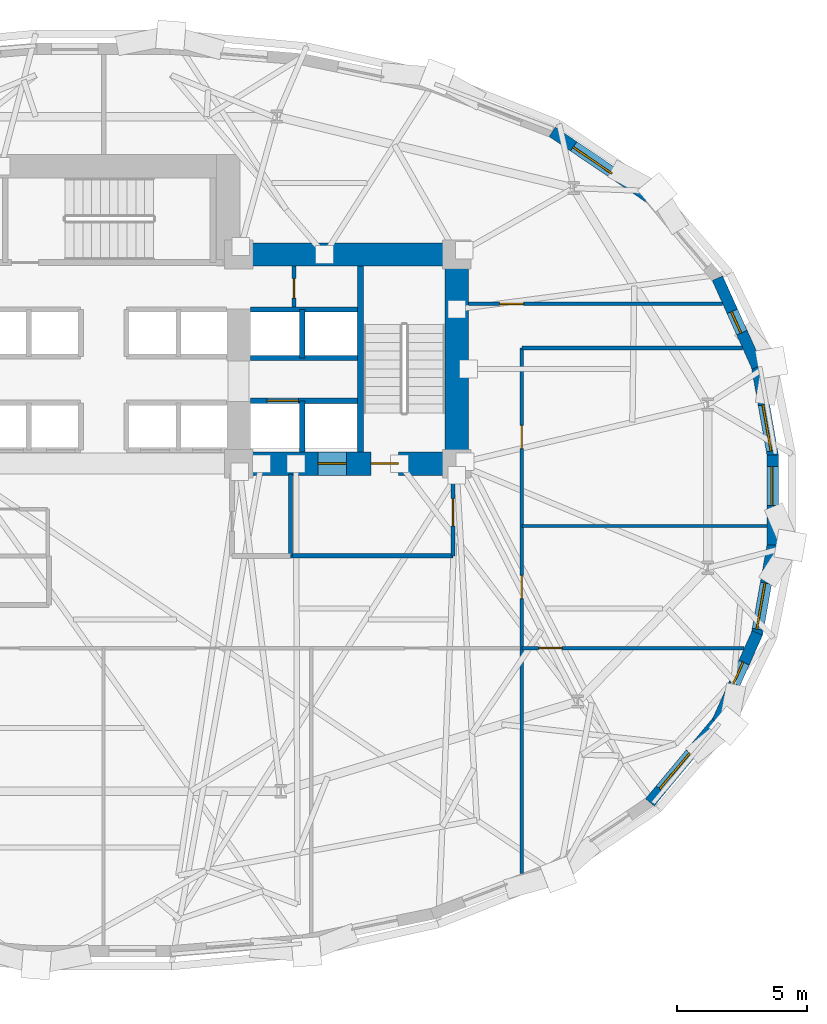
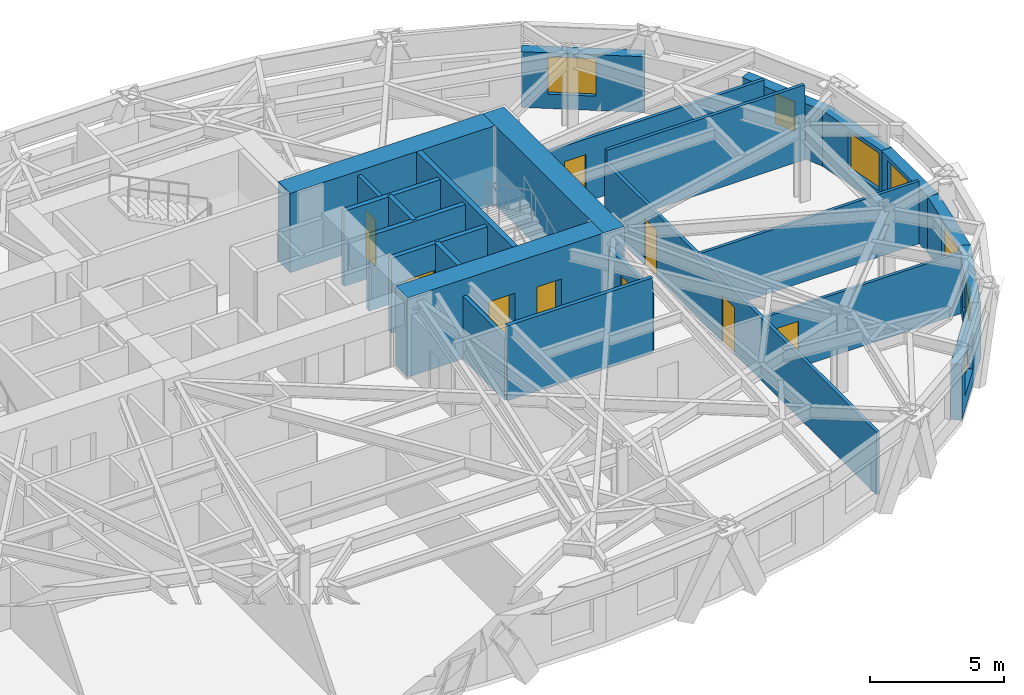
# One storey, part 8 of 13: 25 walls, 9 doors, 7 windows, 16 openings.
"""IFC4 building model written with IfcOpenShell, lengths in metres."""

from ifc_helpers import new_model, si_unit, direction, frame, frame_2d, origin, place, context, subcontext, project, spatial, rectangle, extrude, material, layer, layer_set, type_object, element, fill, save


model = new_model("IFC4")

# Units and contexts
model_context = context("Model", 3, precision=1e-05, world=origin(), true_north=direction((0.0, 1.0)))
body_context = subcontext(model_context, "Body", "Model", "MODEL_VIEW")
ifc_project = project(units=[si_unit("LENGTHUNIT", "METRE"), si_unit("AREAUNIT", "SQUARE_METRE"), si_unit("VOLUMEUNIT", "CUBIC_METRE"), si_unit("PLANEANGLEUNIT", "RADIAN"), si_unit("MASSUNIT", "GRAM", prefix="KILO")], contexts=[model_context])

# Site, building, storey
site_placement = place(None, origin())
site = spatial("IfcSite", under=ifc_project, at=site_placement, CompositionType="ELEMENT")
building_placement = place(site_placement, origin())
building = spatial("IfcBuilding", under=site, at=building_placement, Name="Keldmark Tower", CompositionType="ELEMENT")
storey_placement = place(building_placement, frame((0.0, 0.0, 34.199951171875)))
storey = spatial("IfcBuildingStorey", under=building, at=storey_placement, Name="L08", CompositionType="ELEMENT", Elevation=34.199951171875)

# Wall, openings, doors
ifc_material_1 = material(Name="Acoustic Double-Layer Gypsum Corridor Partition", Category="gypsum")
ifc_layer_1 = layer(ifc_material_1, 0.139892578125)
ifc_layer_set_1 = layer_set([ifc_layer_1], Name="Acoustic Double-Layer Gypsum Corridor Partition")
wall_type_1 = type_object("IfcWallType", Name="Acoustic Corridor Partition 140 mm", PredefinedType="PARTITIONING", material=ifc_layer_set_1)
wall_1_placement = place(storey_placement, frame((16.10009765625, -14.372802734375, 0.0), z_axis=(0.0, 0.0, 1.0), x_axis=(0.0, 1.0, 0.0)))
wall_1 = element("IfcWall", 1, at=wall_1_placement, inside=storey, type_object=wall_type_1, Name="L08 Acoustic Corridor Partition 140 mm COR-E", PredefinedType="PARTITIONING", context=body_context, shape_type="SweptSolid", body=[
    extrude(rectangle(XDim=20.222900390625, YDim=0.139892578125, at=frame_2d((10.111328125, 0.0))), origin(), (0.0, 0.0, 1.0), 2.841064453125),
])
opening_1_placement = place(wall_1_placement, frame((10.572509765625, 0.0, 0.0)))
opening_1 = element("IfcOpeningElement", 2, at=opening_1_placement, cuts=wall_1, Name="Opening D-IN090", PredefinedType="OPENING", context=body_context, shape_type="SweptSolid", body=[
    extrude(rectangle(XDim=0.89990234375, YDim=2.10009765625, at=frame_2d((0.449951171875, 1.050048828125))), frame((0.0, 0.079833984375, 0.0), z_axis=(0.0, -1.0, 0.0), x_axis=(1.0, 0.0, 0.0)), (0.0, 0.0, 1.0), 0.159912109375),
])
opening_2_placement = place(wall_1_placement, frame((16.347412109375, 0.0, 0.0)))
opening_2 = element("IfcOpeningElement", 3, at=opening_2_placement, cuts=wall_1, Name="Opening D-IN090", PredefinedType="OPENING", context=body_context, shape_type="SweptSolid", body=[
    extrude(rectangle(XDim=0.89990234375, YDim=2.10009765625, at=frame_2d((0.449951171875, 1.050048828125))), frame((0.0, 0.079833984375, 0.0), z_axis=(0.0, -1.0, 0.0), x_axis=(1.0, 0.0, 0.0)), (0.0, 0.0, 1.0), 0.159912109375),
])
ifc_material_2 = material(Name="Stained American White Oak Veneer", Category="wood")
door_type_1 = type_object("IfcDoorType", Name="Interior Door 900x2100", OperationType="NOTDEFINED", PredefinedType="DOOR", material=ifc_material_2)
door_1_placement = place(opening_1_placement, origin())
door_1 = element("IfcDoor", 4, at=door_1_placement, inside=storey, type_object=door_type_1, Name="L08 Interior Door 900x2100 D-ER-1-L08", OperationType="SINGLE_SWING_RIGHT", OverallHeight=2.10009765625, OverallWidth=0.89990234375, PredefinedType="DOOR", context=body_context, shape_type="SweptSolid", body=[
    extrude(rectangle(XDim=0.89990234375, YDim=2.10009765625, at=frame_2d((0.449951171875, 1.050048828125))), frame((0.0, 0.02490234375, 0.0), z_axis=(0.0, -1.0, 0.0), x_axis=(1.0, 0.0, 0.0)), (0.0, 0.0, 1.0), 0.050048828125),
])
fill(opening_1, door_1)
door_2_placement = place(opening_2_placement, origin())
door_2 = element("IfcDoor", 5, at=door_2_placement, inside=storey, type_object=door_type_1, Name="L08 Interior Door 900x2100 D-ER-2-L08", OperationType="SINGLE_SWING_LEFT", OverallHeight=2.10009765625, OverallWidth=0.89990234375, PredefinedType="DOOR", context=body_context, shape_type="SweptSolid", body=[
    extrude(rectangle(XDim=0.89990234375, YDim=2.10009765625, at=frame_2d((0.449951171875, 1.050048828125))), frame((0.0, 0.02490234375, 0.0), z_axis=(0.0, -1.0, 0.0), x_axis=(1.0, 0.0, 0.0)), (0.0, 0.0, 1.0), 0.050048828125),
])
fill(opening_2, door_2)

# Wall, opening, door
wall_2_placement = place(storey_placement, frame((14.050048828125, 7.550048828125, 0.0), z_axis=(0.0, 0.0, 1.0), x_axis=(1.0, 0.0, 0.0)))
wall_2 = element("IfcWall", 6, at=wall_2_placement, inside=storey, type_object=wall_type_1, Name="L08 Acoustic Corridor Partition 140 mm COR-EN-CAP", PredefinedType="PARTITIONING", context=body_context, shape_type="SweptSolid", body=[
    extrude(rectangle(XDim=9.7744140625, YDim=0.139892578125, at=frame_2d((4.88720703125, 0.0))), origin(), (0.0, 0.0, 1.0), 2.85302734375),
])
opening_3_placement = place(wall_2_placement, frame((1.199951171875, 0.0, 0.0)))
opening_3 = element("IfcOpeningElement", 7, at=opening_3_placement, cuts=wall_2, Name="Opening D-EX092", PredefinedType="OPENING", context=body_context, shape_type="SweptSolid", body=[
    extrude(rectangle(XDim=0.919921875, YDim=2.14990234375, at=frame_2d((0.4599609375, 1.074951171875))), frame((0.0, 0.079833984375, 0.0), z_axis=(0.0, -1.0, 0.0), x_axis=(1.0, 0.0, 0.0)), (0.0, 0.0, 1.0), 0.159912109375),
])
ifc_material_3 = material(Name="Flush American Ash Executive Office Door", Category="wood")
door_type_2 = type_object("IfcDoorType", Name="Executive Office Door 920x2150", OperationType="NOTDEFINED", PredefinedType="DOOR", material=ifc_material_3)
door_3_placement = place(opening_3_placement, origin())
door_3 = element("IfcDoor", 8, at=door_3_placement, inside=storey, type_object=door_type_2, Name="L08 Executive Office Door 920x2150 D-NRNE-L08", OperationType="SINGLE_SWING_RIGHT", OverallHeight=2.14990234375, OverallWidth=0.919921875, PredefinedType="DOOR", context=body_context, shape_type="SweptSolid", body=[
    extrude(rectangle(XDim=0.919921875, YDim=2.14990234375, at=frame_2d((0.4599609375, 1.074951171875))), frame((0.0, 0.02490234375, 0.0), z_axis=(0.0, -1.0, 0.0), x_axis=(1.0, 0.0, 0.0)), (0.0, 0.0, 1.0), 0.050048828125),
])
fill(opening_3, door_3)

# Wall
wall_3_placement = place(storey_placement, frame((16.10009765625, 5.85009765625, 0.0), z_axis=(0.0, 0.0, 1.0), x_axis=(1.0, 0.0, 0.0)))
element("IfcWall", 9, at=wall_3_placement, inside=storey, type_object=wall_type_1, Name="L08 Acoustic Corridor Partition 140 mm COR-EA-S", PredefinedType="PARTITIONING", context=body_context, shape_type="SweptSolid", body=[
    extrude(rectangle(XDim=8.489501953125, YDim=0.139892578125, at=frame_2d((4.24462890625, 0.0))), origin(), (0.0, 0.0, 1.0), 3.400146484375),
])

# Wall, opening, door
ifc_material_4 = material(Name="Acoustic Gypsum Board Interior Partition", Category="gypsum")
ifc_layer_2 = layer(ifc_material_4, 0.1298828125)
ifc_layer_set_2 = layer_set([ifc_layer_2], Name="Acoustic Gypsum Board Interior Partition")
wall_type_2 = type_object("IfcWallType", Name="Interior Partition 130 mm", PredefinedType="PARTITIONING", material=ifc_layer_set_2)
wall_4_placement = place(storey_placement, frame((16.10009765625, -5.699951171875, 0.0), z_axis=(0.0, 0.0, 1.0), x_axis=(1.0, 0.0, 0.0)))
wall_4 = element("IfcWall", 10, at=wall_4_placement, inside=storey, type_object=wall_type_2, Name="L08 Interior Partition 130 mm E-CAP-S", PredefinedType="PARTITIONING", context=body_context, shape_type="SweptSolid", body=[
    extrude(rectangle(XDim=8.556884765625, YDim=0.1298828125, at=frame_2d((4.2783203125, 0.0))), origin(), (0.0, 0.0, 1.0), 2.779052734375),
])
opening_4_placement = place(wall_4_placement, frame((0.64990234375, 0.0, 0.0)))
opening_4 = element("IfcOpeningElement", 11, at=opening_4_placement, cuts=wall_4, Name="Opening D-IN090", PredefinedType="OPENING", context=body_context, shape_type="SweptSolid", body=[
    extrude(rectangle(XDim=0.89990234375, YDim=2.10009765625, at=frame_2d((0.449951171875, 1.050048828125))), frame((0.0, 0.074951171875, 0.0), z_axis=(0.0, -1.0, 0.0), x_axis=(1.0, 0.0, 0.0)), (0.0, 0.0, 1.0), 0.14990234375),
])
door_4_placement = place(opening_4_placement, origin())
door_4 = element("IfcDoor", 12, at=door_4_placement, inside=storey, type_object=door_type_1, Name="L08 Interior Door 900x2100 D-ERSE-L08", OperationType="SINGLE_SWING_RIGHT", OverallHeight=2.10009765625, OverallWidth=0.89990234375, PredefinedType="DOOR", context=body_context, shape_type="SweptSolid", body=[
    extrude(rectangle(XDim=0.89990234375, YDim=2.10009765625, at=frame_2d((0.449951171875, 1.050048828125))), frame((0.0, 0.02490234375, 0.0), z_axis=(0.0, -1.0, 0.0), x_axis=(1.0, 0.0, 0.0)), (0.0, 0.0, 1.0), 0.050048828125),
])
fill(opening_4, door_4)

# Walls
wall_5_placement = place(storey_placement, frame((16.10009765625, -1.0, 0.0), z_axis=(0.0, 0.0, 1.0), x_axis=(1.0, 0.0, 0.0)))
element("IfcWall", 13, at=wall_5_placement, inside=storey, type_object=wall_type_2, Name="L08 Interior Partition 130 mm E-DIV-1", PredefinedType="PARTITIONING", context=body_context, shape_type="SweptSolid", body=[
    extrude(rectangle(XDim=9.434814453125, YDim=0.1298828125, at=frame_2d((4.71728515625, 0.0))), origin(), (0.0, 0.0, 1.0), 2.841064453125),
])
ifc_material_5 = material(Name="Concrete C70/85", Category="concrete")
ifc_layer_3 = layer(ifc_material_5, 0.89990234375)
ifc_layer_set_3 = layer_set([ifc_layer_3], Name="Concrete C70/85")
wall_type_3 = type_object("IfcWallType", Name="Lower Core Shear Wall 900 mm", PredefinedType="SHEAR", material=ifc_layer_set_3)
wall_6_placement = place(storey_placement, frame((13.60009765625, 0.949951171875, 0.0), z_axis=(0.0, 0.0, 1.0), x_axis=(0.0, 1.0, 0.0)))
element("IfcWall", 14, at=wall_6_placement, inside=storey, type_object=wall_type_3, Name="L08 East Core Outer Shear Wall", PredefinedType="SHEAR", context=body_context, shape_type="SweptSolid", body=[
    extrude(rectangle(XDim=8.949951171875, YDim=0.89990234375, at=frame_2d((4.47509765625, 0.0))), origin(), (0.0, 0.0, 1.0), 3.60009765625),
])
wall_7_placement = place(storey_placement, frame((4.35009765625, 9.449951171875, 0.0), z_axis=(0.0, 0.0, 1.0), x_axis=(1.0, 0.0, 0.0)))
element("IfcWall", 15, at=wall_7_placement, inside=storey, type_object=wall_type_3, Name="L08 East Core North Shear Wall", PredefinedType="SHEAR", context=body_context, shape_type="SweptSolid", body=[
    extrude(rectangle(XDim=9.699951171875, YDim=0.89990234375, at=frame_2d((4.85009765625, 0.0))), origin(), (0.0, 0.0, 1.0), 3.60009765625),
])

# Wall, openings, doors
wall_8_placement = place(storey_placement, frame((14.050048828125, 1.39990234375, 0.0), z_axis=(0.0, 0.0, 1.0), x_axis=(-1.0, 0.0, 0.0)))
wall_8 = element("IfcWall", 16, at=wall_8_placement, inside=storey, type_object=wall_type_3, Name="L08 East Core South Shear Wall", PredefinedType="SHEAR", context=body_context, shape_type="SweptSolid", body=[
    extrude(rectangle(XDim=9.300048828125, YDim=0.89990234375, at=frame_2d((4.64990234375, 0.0))), origin(), (0.0, 0.0, 1.0), 3.60009765625),
])
opening_5_placement = place(wall_8_placement, frame((2.699951171875, 0.0, 0.0)))
opening_5 = element("IfcOpeningElement", 17, at=opening_5_placement, cuts=wall_8, Name="Opening D-ST105", PredefinedType="OPENING", context=body_context, shape_type="SweptSolid", body=[
    extrude(rectangle(XDim=1.050048828125, YDim=2.14990234375, at=frame_2d((0.52490234375, 1.074951171875))), frame((0.0, 0.4599609375, 0.0), z_axis=(0.0, -1.0, 0.0), x_axis=(1.0, 0.0, 0.0)), (0.0, 0.0, 1.0), 0.919921875),
])
opening_6_placement = place(wall_8_placement, frame((4.699951171875, 0.0, 0.0)))
opening_6 = element("IfcOpeningElement", 18, at=opening_6_placement, cuts=wall_8, Name="Opening LD-110", PredefinedType="OPENING", context=body_context, shape_type="SweptSolid", body=[
    extrude(rectangle(XDim=1.10009765625, YDim=2.199951171875, at=frame_2d((0.550048828125, 1.10009765625))), frame((0.0, 0.4599609375, 0.0), z_axis=(0.0, -1.0, 0.0), x_axis=(1.0, 0.0, 0.0)), (0.0, 0.0, 1.0), 0.919921875),
])
ifc_material_6 = material(Name="Brushed Bronze Hoistway Sliding Leaf", Category="metal")
door_type_3 = type_object("IfcDoorType", Name="Lift Landing Sliding Door 1100x2200", OperationType="SLIDING_TO_LEFT", PredefinedType="DOOR", material=ifc_material_6)
door_5_placement = place(opening_6_placement, origin())
door_5 = element("IfcDoor", 19, at=door_5_placement, inside=storey, type_object=door_type_3, Name="L08 Lift Landing Sliding Door 1100x2200 LD-EL-FS2-L08", OperationType="SLIDING_TO_LEFT", OverallHeight=2.199951171875, OverallWidth=1.10009765625, PredefinedType="DOOR", context=body_context, shape_type="SweptSolid", body=[
    extrude(rectangle(XDim=1.10009765625, YDim=2.199951171875, at=frame_2d((0.550048828125, 1.10009765625))), frame((0.0, 0.02490234375, 0.0), z_axis=(0.0, -1.0, 0.0), x_axis=(1.0, 0.0, 0.0)), (0.0, 0.0, 1.0), 0.050048828125),
])
fill(opening_6, door_5)
ifc_material_7 = material(Name="Hollow Metal Fire-Rated Door Assembly", Category="metal")
door_type_4 = type_object("IfcDoorType", Name="Stair Fire Door 1050x2150", OperationType="NOTDEFINED", PredefinedType="DOOR", material=ifc_material_7)
door_6_placement = place(opening_5_placement, origin())
door_6 = element("IfcDoor", 20, at=door_6_placement, inside=storey, type_object=door_type_4, Name="L08 Stair Fire Door 1050x2150 D-ST2-L08", OperationType="SINGLE_SWING_LEFT", OverallHeight=2.14990234375, OverallWidth=1.050048828125, PredefinedType="DOOR", context=body_context, shape_type="SweptSolid", body=[
    extrude(rectangle(XDim=1.050048828125, YDim=2.14990234375, at=frame_2d((0.52490234375, 1.074951171875))), frame((0.0, 0.02490234375, 0.0), z_axis=(0.0, -1.0, 0.0), x_axis=(1.0, 0.0, 0.0)), (0.0, 0.0, 1.0), 0.050048828125),
])
fill(opening_5, door_6)

# Walls
ifc_material_8 = material(Name="Type X Fire-Rated Gypsum Partition Assembly", Category="gypsum")
ifc_layer_4 = layer(ifc_material_8, 0.1650390625)
ifc_layer_set_4 = layer_set([ifc_layer_4], Name="Type X Fire-Rated Gypsum Partition Assembly")
wall_type_4 = type_object("IfcWallType", Name="Rated Partition 165 mm", PredefinedType="PARTITIONING", material=ifc_layer_set_4)
wall_9_placement = place(storey_placement, frame((7.199951171875, -2.14990234375, 0.0), z_axis=(0.0, 0.0, 1.0), x_axis=(1.0, 0.0, 0.0)))
element("IfcWall", 21, at=wall_9_placement, inside=storey, type_object=wall_type_4, Name="L08 Rated Partition 165 mm FSAE-E-S", PredefinedType="PARTITIONING", context=body_context, shape_type="SweptSolid", body=[
    extrude(rectangle(XDim=6.25, YDim=0.1650390625, at=frame_2d((3.125, 0.0))), origin(), (0.0, 0.0, 1.0), 3.400146484375),
])
wall_10_placement = place(storey_placement, frame((7.199951171875, -2.14990234375, 0.0), z_axis=(0.0, 0.0, 1.0), x_axis=(0.0, 1.0, 0.0)))
element("IfcWall", 22, at=wall_10_placement, inside=storey, type_object=wall_type_4, Name="L08 Rated Partition 165 mm FSAE-E-W", PredefinedType="PARTITIONING", context=body_context, shape_type="SweptSolid", body=[
    extrude(rectangle(XDim=3.14990234375, YDim=0.1650390625, at=frame_2d((1.574951171875, 0.0))), origin(), (0.0, 0.0, 1.0), 2.85302734375),
])

# Wall, opening, door
wall_11_placement = place(storey_placement, frame((13.449951171875, -2.14990234375, 0.0), z_axis=(0.0, 0.0, 1.0), x_axis=(0.0, 1.0, 0.0)))
wall_11 = element("IfcWall", 23, at=wall_11_placement, inside=storey, type_object=wall_type_4, Name="L08 Rated Partition 165 mm FSAE-E-E", PredefinedType="PARTITIONING", context=body_context, shape_type="SweptSolid", body=[
    extrude(rectangle(XDim=3.14990234375, YDim=0.1650390625, at=frame_2d((1.574951171875, 0.0))), origin(), (0.0, 0.0, 1.0), 2.85302734375),
])
opening_7_placement = place(wall_11_placement, frame((1.14990234375, 0.0, 0.0)))
opening_7 = element("IfcOpeningElement", 24, at=opening_7_placement, cuts=wall_11, Name="Opening D-FL105", PredefinedType="OPENING", context=body_context, shape_type="SweptSolid", body=[
    extrude(rectangle(XDim=1.050048828125, YDim=2.14990234375, at=frame_2d((0.52490234375, 1.074951171875))), frame((0.0, 0.092529296875, 0.0), z_axis=(0.0, -1.0, 0.0), x_axis=(1.0, 0.0, 0.0)), (0.0, 0.0, 1.0), 0.18505859375),
])
ifc_material_9 = material(Name="Fire-Rated Mineral-Core Door and Vision Lite", Category="metal")
door_type_5 = type_object("IfcDoorType", Name="Fire Lobby Door 1050x2150", OperationType="NOTDEFINED", PredefinedType="DOOR", material=ifc_material_9)
door_7_placement = place(opening_7_placement, origin())
door_7 = element("IfcDoor", 25, at=door_7_placement, inside=storey, type_object=door_type_5, Name="L08 Fire Lobby Door 1050x2150 D-FSAEE-OUT-L08", OperationType="SINGLE_SWING_LEFT", OverallHeight=2.14990234375, OverallWidth=1.050048828125, PredefinedType="DOOR", context=body_context, shape_type="SweptSolid", body=[
    extrude(rectangle(XDim=1.050048828125, YDim=2.14990234375, at=frame_2d((0.52490234375, 1.074951171875))), frame((0.0, 0.02490234375, 0.0), z_axis=(0.0, -1.0, 0.0), x_axis=(1.0, 0.0, 0.0)), (0.0, 0.0, 1.0), 0.050048828125),
])
fill(opening_7, door_7)

wall_12_placement = place(storey_placement, frame((7.330078125, 7.419921875, 0.0), z_axis=(0.0, 0.0, 1.0), x_axis=(0.0, 1.0, 0.0)))
wall_12 = element("IfcWall", 26, at=wall_12_placement, inside=storey, type_object=wall_type_4, Name="L08 Rated Partition 165 mm CS-NE-W", PredefinedType="PARTITIONING", context=body_context, shape_type="SweptSolid", body=[
    extrude(rectangle(XDim=1.580078125, YDim=0.1650390625, at=frame_2d((0.7900390625, 0.0))), origin(), (0.0, 0.0, 1.0), 3.400146484375),
])
opening_8_placement = place(wall_12_placement, frame((0.35009765625, 0.0, 0.0)))
opening_8 = element("IfcOpeningElement", 27, at=opening_8_placement, cuts=wall_12, Name="Opening D-RS075", PredefinedType="OPENING", context=body_context, shape_type="SweptSolid", body=[
    extrude(rectangle(XDim=0.75, YDim=2.10009765625, at=frame_2d((0.375, 1.050048828125))), frame((0.0, 0.092529296875, 0.0), z_axis=(0.0, -1.0, 0.0), x_axis=(1.0, 0.0, 0.0)), (0.0, 0.0, 1.0), 0.18505859375),
])
ifc_material_10 = material(Name="Galvanized Fire-Rated Access Leaf", Category="metal")
door_type_6 = type_object("IfcDoorType", Name="Riser Access Door 750x2100", OperationType="NOTDEFINED", PredefinedType="DOOR", material=ifc_material_10)
door_8_placement = place(opening_8_placement, origin())
door_8 = element("IfcDoor", 28, at=door_8_placement, inside=storey, type_object=door_type_6, Name="L08 Riser Access Door 750x2100 D-CSNE1-L08", OperationType="SINGLE_SWING_RIGHT", OverallHeight=2.10009765625, OverallWidth=0.75, PredefinedType="DOOR", context=body_context, shape_type="SweptSolid", body=[
    extrude(rectangle(XDim=0.75, YDim=2.10009765625, at=frame_2d((0.375, 1.050048828125))), frame((0.0, 0.02490234375, 0.0), z_axis=(0.0, -1.0, 0.0), x_axis=(1.0, 0.0, 0.0)), (0.0, 0.0, 1.0), 0.050048828125),
])
fill(opening_8, door_8)

ifc_material_11 = material(Name="Fire-Resistant Type X Gypsum Shaftliner Coreboard", Category="gypsum")
ifc_layer_5 = layer(ifc_material_11, 0.199951171875)
ifc_layer_set_5 = layer_set([ifc_layer_5], Name="Fire-Resistant Type X Gypsum Shaftliner Coreboard")
wall_type_5 = type_object("IfcWallType", Name="Shaft Wall 200 mm", PredefinedType="SOLIDWALL", material=ifc_layer_set_5)
wall_13_placement = place(storey_placement, frame((5.64990234375, 3.820068359375, 0.0), z_axis=(0.0, 0.0, 1.0), x_axis=(1.0, 0.0, 0.0)))
wall_13 = element("IfcWall", 29, at=wall_13_placement, inside=storey, type_object=wall_type_5, Name="L08 Shaft Wall 200 mm HW-E-S", PredefinedType="SOLIDWALL", context=body_context, shape_type="SweptSolid", body=[
    extrude(rectangle(XDim=4.130126953125, YDim=0.199951171875, at=frame_2d((2.06494140625, 0.0))), origin(), (0.0, 0.0, 1.0), 3.400146484375),
])
opening_9_placement = place(wall_13_placement, frame((0.64990234375, 0.0, 0.0)))
opening_9 = element("IfcOpeningElement", 30, at=opening_9_placement, cuts=wall_13, Name="Opening LD-120", PredefinedType="OPENING", context=body_context, shape_type="SweptSolid", body=[
    extrude(rectangle(XDim=1.199951171875, YDim=2.199951171875, at=frame_2d((0.60009765625, 1.10009765625))), frame((0.0, 0.10986328125, 0.0), z_axis=(0.0, -1.0, 0.0), x_axis=(1.0, 0.0, 0.0)), (0.0, 0.0, 1.0), 0.219970703125),
])
ifc_material_12 = material(Name="Heavy-Duty Brushed Metal Hoistway Sliding Leaf", Category="metal")
door_type_7 = type_object("IfcDoorType", Name="Service Lift Sliding Door 1200x2200", OperationType="SLIDING_TO_RIGHT", PredefinedType="DOOR", material=ifc_material_12)
door_9_placement = place(opening_9_placement, origin())
door_9 = element("IfcDoor", 31, at=door_9_placement, inside=storey, type_object=door_type_7, Name="L08 Service Lift Sliding Door 1200x2200 LD-EL-SV1-L08", OperationType="SLIDING_TO_RIGHT", OverallHeight=2.199951171875, OverallWidth=1.199951171875, PredefinedType="DOOR", context=body_context, shape_type="SweptSolid", body=[
    extrude(rectangle(XDim=1.199951171875, YDim=2.199951171875, at=frame_2d((0.60009765625, 1.10009765625))), frame((0.0, 0.02490234375, 0.0), z_axis=(0.0, -1.0, 0.0), x_axis=(1.0, 0.0, 0.0)), (0.0, 0.0, 1.0), 0.050048828125),
])
fill(opening_9, door_9)

# Walls
wall_14_placement = place(storey_placement, frame((7.64990234375, 1.85009765625, 0.0), z_axis=(0.0, 0.0, 1.0), x_axis=(0.0, 1.0, 0.0)))
element("IfcWall", 32, at=wall_14_placement, inside=storey, type_object=wall_type_5, Name="L08 Shaft Wall 200 mm HW-E-M", PredefinedType="SOLIDWALL", context=body_context, shape_type="SweptSolid", body=[
    extrude(rectangle(XDim=1.969970703125, YDim=0.199951171875, at=frame_2d((0.98486328125, 0.0))), origin(), (0.0, 0.0, 1.0), 3.400146484375),
])
for number, where, z_axis, x_axis, name in (
    (33, (5.64990234375, 5.469970703125, 0.0), (0.0, 0.0, 1.0), (1.0, 0.0, 0.0), "L08 Shaft Wall 200 mm HW-E-N"),
    (34, (5.64990234375, 7.330078125, 0.0), (0.0, 0.0, 1.0), (1.0, 0.0, 0.0), "L08 Shaft Wall 200 mm HW-E-TOP"),
):
    element("IfcWall", number, at=place(storey_placement, frame(where, z_axis=z_axis, x_axis=x_axis)), inside=storey, type_object=wall_type_5, Name=name, PredefinedType="SOLIDWALL", context=body_context, shape_type="SweptSolid", body=[
        extrude(rectangle(XDim=4.130126953125, YDim=0.199951171875, at=frame_2d((2.06494140625, 0.0))), origin(), (0.0, 0.0, 1.0), 3.400146484375),
    ])
wall_15_placement = place(storey_placement, frame((7.64990234375, 5.469970703125, 0.0), z_axis=(0.0, 0.0, 1.0), x_axis=(0.0, 1.0, 0.0)))
element("IfcWall", 35, at=wall_15_placement, inside=storey, type_object=wall_type_5, Name="L08 Shaft Wall 200 mm HW-E-NM", PredefinedType="SOLIDWALL", context=body_context, shape_type="SweptSolid", body=[
    extrude(rectangle(XDim=1.860107421875, YDim=0.199951171875, at=frame_2d((0.93017578125, 0.0))), origin(), (0.0, 0.0, 1.0), 3.400146484375),
])
ifc_material_13 = material(Name="Concrete C50/60", Category="concrete")
ifc_layer_6 = layer(ifc_material_13, 0.219970703125)
ifc_layer_set_6 = layer_set([ifc_layer_6], Name="Concrete C50/60")
wall_type_6 = type_object("IfcWallType", Name="Stair Core Shear Wall 220 mm", PredefinedType="SHEAR", material=ifc_layer_set_6)
wall_16_placement = place(storey_placement, frame((9.889892578125, 1.85009765625, 0.0), z_axis=(0.0, 0.0, 1.0), x_axis=(0.0, 1.0, 0.0)))
element("IfcWall", 36, at=wall_16_placement, inside=storey, type_object=wall_type_6, Name="L08 East Stair Core Shear Wall", PredefinedType="SHEAR", context=body_context, shape_type="SweptSolid", body=[
    extrude(rectangle(XDim=7.14990234375, YDim=0.219970703125, at=frame_2d((3.574951171875, 0.0))), origin(), (0.0, 0.0, 1.0), 3.60009765625),
])

# Wall, opening, window
ifc_material_14 = material(Name="Ironspot Manganese Brick and Kasota Buff Limestone Spandrel Assembly", Category="masonry")
ifc_layer_7 = layer(ifc_material_14, 0.43994140625)
ifc_layer_set_7 = layer_set([ifc_layer_7], Name="Ironspot Manganese Brick and Kasota Buff Limestone Spandrel Assembly")
wall_type_7 = type_object("IfcWallType", Name="Tower Brick Pier and Spandrel Wall 440 mm", PredefinedType="STANDARD", material=ifc_layer_set_7)
wall_17_placement = place(storey_placement, frame((25.151611328125, 5.173095703125, 0.0), z_axis=(0.0, 0.0, 1.0), x_axis=(0.174041624961, -0.984738296595, 0.0)))
wall_17 = element("IfcWall", 37, at=wall_17_placement, inside=storey, type_object=wall_type_7, Name="L08 Exterior Brick and Spandrel Wall 01", PredefinedType="STANDARD", context=body_context, shape_type="SweptSolid", body=[
    extrude(rectangle(XDim=3.5322265625, YDim=0.43994140625, at=frame_2d((1.76611328125, 0.0))), origin(), (0.0, 0.0, 1.0), 2.532958984375),
])
opening_10_placement = place(wall_17_placement, frame((1.5322265625, 0.0, 0.64990234375)))
opening_10 = element("IfcOpeningElement", 38, at=opening_10_placement, cuts=wall_17, Name="Opening W-02", PredefinedType="OPENING", context=body_context, shape_type="SweptSolid", body=[
    extrude(rectangle(XDim=1.800048828125, YDim=1.699951171875, at=frame_2d((0.89990234375, 0.85009765625))), frame((0.0, 0.22998046875, 0.0), z_axis=(0.0, -1.0, 0.0), x_axis=(1.0, 0.0, 0.0)), (0.0, 0.0, 1.0), 0.4599609375),
])
ifc_material_15 = material(Name="Thermally Broken Anodized Aluminum and Triple Low-E Argon Glazing", Category="aluminium")
window_type_1 = type_object("IfcWindowType", Name="Office Deep-Set Triple Window 1800x1700", PartitioningType="TRIPLE_PANEL_VERTICAL", PredefinedType="WINDOW", material=ifc_material_15)
window_1_placement = place(opening_10_placement, origin())
window_1 = element("IfcWindow", 39, at=window_1_placement, inside=storey, type_object=window_type_1, Name="L08 Deep-Set Window 01", OverallHeight=1.699951171875, OverallWidth=1.800048828125, PartitioningType="SINGLE_PANEL", PredefinedType="WINDOW", context=body_context, shape_type="SweptSolid", body=[
    extrude(rectangle(XDim=1.800048828125, YDim=1.699951171875, at=frame_2d((0.89990234375, 0.85009765625))), frame((0.0, -0.010009765625, 0.0), z_axis=(0.0, -1.0, 0.0), x_axis=(1.0, 0.0, 0.0)), (0.0, 0.0, 1.0), 0.06005859375),
])
fill(opening_10, window_1)

wall_18_placement = place(storey_placement, frame((23.630615234375, 8.5361328125, 0.0), z_axis=(0.0, 0.0, 1.0), x_axis=(0.410386362845, -0.911911746383, 0.0)))
wall_18 = element("IfcWall", 40, at=wall_18_placement, inside=storey, type_object=wall_type_7, Name="L08 Exterior Brick and Spandrel Wall 02", PredefinedType="STANDARD", context=body_context, shape_type="SweptSolid", body=[
    extrude(rectangle(XDim=3.744873046875, YDim=0.43994140625, at=frame_2d((1.87255859375, 0.0))), origin(), (0.0, 0.0, 1.0), 2.532958984375),
])
opening_11_placement = place(wall_18_placement, frame((1.3974609375, 0.0, 0.919921875)))
opening_11 = element("IfcOpeningElement", 41, at=opening_11_placement, cuts=wall_18, Name="Opening W-09", PredefinedType="OPENING", context=body_context, shape_type="SweptSolid", body=[
    extrude(rectangle(XDim=0.89990234375, YDim=1.35009765625, at=frame_2d((0.449951171875, 0.675048828125))), frame((0.0, 0.22998046875, 0.0), z_axis=(0.0, -1.0, 0.0), x_axis=(1.0, 0.0, 0.0)), (0.0, 0.0, 1.0), 0.4599609375),
])
ifc_material_16 = material(Name="Thermally Broken Anodized Aluminum and Triple Low-E Argon Glazing", Category="aluminium")
window_type_2 = type_object("IfcWindowType", Name="Corner Pier Deep-Set Window 900x1350", PartitioningType="SINGLE_PANEL", PredefinedType="WINDOW", material=ifc_material_16)
window_2_placement = place(opening_11_placement, origin())
window_2 = element("IfcWindow", 42, at=window_2_placement, inside=storey, type_object=window_type_2, Name="L08 Deep-Set Window 02", OverallHeight=1.35009765625, OverallWidth=0.89990234375, PartitioningType="SINGLE_PANEL", PredefinedType="WINDOW", context=body_context, shape_type="SweptSolid", body=[
    extrude(rectangle(XDim=0.89990234375, YDim=1.35009765625, at=frame_2d((0.449951171875, 0.675048828125))), frame((0.0, -0.010009765625, 0.0), z_axis=(0.0, -1.0, 0.0), x_axis=(1.0, 0.0, 0.0)), (0.0, 0.0, 1.0), 0.06005859375),
])
fill(opening_11, window_2)

wall_19_placement = place(storey_placement, frame((17.273681640625, 14.173828125, 0.0), z_axis=(0.0, 0.0, 1.0), x_axis=(0.828003115717, -0.560723497246, 0.0)))
wall_19 = element("IfcWall", 43, at=wall_19_placement, inside=storey, type_object=wall_type_7, Name="L08 Exterior Brick and Spandrel Wall 04", PredefinedType="STANDARD", context=body_context, shape_type="SweptSolid", body=[
    extrude(rectangle(XDim=4.5908203125, YDim=0.43994140625, at=frame_2d((2.29541015625, 0.0))), origin(), (0.0, 0.0, 1.0), 2.529052734375),
])
opening_12_placement = place(wall_19_placement, frame((0.9970703125, 0.0, 0.64990234375)))
opening_12 = element("IfcOpeningElement", 44, at=opening_12_placement, cuts=wall_19, Name="Opening W-02", PredefinedType="OPENING", context=body_context, shape_type="SweptSolid", body=[
    extrude(rectangle(XDim=1.800048828125, YDim=1.699951171875, at=frame_2d((0.89990234375, 0.85009765625))), frame((0.0, 0.22998046875, 0.0), z_axis=(0.0, -1.0, 0.0), x_axis=(1.0, 0.0, 0.0)), (0.0, 0.0, 1.0), 0.4599609375),
])
window_3_placement = place(opening_12_placement, origin())
window_3 = element("IfcWindow", 45, at=window_3_placement, inside=storey, type_object=window_type_1, Name="L08 Deep-Set Window 04", OverallHeight=1.699951171875, OverallWidth=1.800048828125, PartitioningType="SINGLE_PANEL", PredefinedType="WINDOW", context=body_context, shape_type="SweptSolid", body=[
    extrude(rectangle(XDim=1.800048828125, YDim=1.699951171875, at=frame_2d((0.89990234375, 0.85009765625))), frame((0.0, -0.010009765625, 0.0), z_axis=(0.0, -1.0, 0.0), x_axis=(1.0, 0.0, 0.0)), (0.0, 0.0, 1.0), 0.06005859375),
])
fill(opening_12, window_3)

wall_20_placement = place(storey_placement, frame((23.662109375, -8.485595703125, 0.0), z_axis=(0.0, 0.0, 1.0), x_axis=(-0.64070435578, -0.767787684509, 0.0)))
wall_20 = element("IfcWall", 46, at=wall_20_placement, inside=storey, type_object=wall_type_7, Name="L08 Exterior Brick and Spandrel Wall 29", PredefinedType="STANDARD", context=body_context, shape_type="SweptSolid", body=[
    extrude(rectangle(XDim=4.109130859375, YDim=0.43994140625, at=frame_2d((2.0546875, 0.0))), origin(), (0.0, 0.0, 1.0), 2.532958984375),
])
opening_13_placement = place(wall_20_placement, frame((1.668701171875, 0.0, 0.64990234375)))
opening_13 = element("IfcOpeningElement", 47, at=opening_13_placement, cuts=wall_20, Name="Opening W-02", PredefinedType="OPENING", context=body_context, shape_type="SweptSolid", body=[
    extrude(rectangle(XDim=1.800048828125, YDim=1.699951171875, at=frame_2d((0.89990234375, 0.85009765625))), frame((0.0, 0.22998046875, 0.0), z_axis=(0.0, -1.0, 0.0), x_axis=(1.0, 0.0, 0.0)), (0.0, 0.0, 1.0), 0.4599609375),
])
window_4_placement = place(opening_13_placement, origin())
window_4 = element("IfcWindow", 48, at=window_4_placement, inside=storey, type_object=window_type_1, Name="L08 Deep-Set Window 29", OverallHeight=1.699951171875, OverallWidth=1.800048828125, PartitioningType="SINGLE_PANEL", PredefinedType="WINDOW", context=body_context, shape_type="SweptSolid", body=[
    extrude(rectangle(XDim=1.800048828125, YDim=1.699951171875, at=frame_2d((0.89990234375, 0.85009765625))), frame((0.0, -0.010009765625, 0.0), z_axis=(0.0, -1.0, 0.0), x_axis=(1.0, 0.0, 0.0)), (0.0, 0.0, 1.0), 0.06005859375),
])
fill(opening_13, window_4)

wall_21_placement = place(storey_placement, frame((25.16748046875, -5.12109375, 0.0), z_axis=(0.0, 0.0, 1.0), x_axis=(-0.410386362845, -0.911911746383, 0.0)))
wall_21 = element("IfcWall", 49, at=wall_21_placement, inside=storey, type_object=wall_type_7, Name="L08 Exterior Brick and Spandrel Wall 30", PredefinedType="STANDARD", context=body_context, shape_type="SweptSolid", body=[
    extrude(rectangle(XDim=3.744873046875, YDim=0.43994140625, at=frame_2d((1.87255859375, 0.0))), origin(), (0.0, 0.0, 1.0), 2.532958984375),
])
opening_14_placement = place(wall_21_placement, frame((1.247802734375, 0.0, 0.580078125)))
opening_14 = element("IfcOpeningElement", 50, at=opening_14_placement, cuts=wall_21, Name="Opening W-09", PredefinedType="OPENING", context=body_context, shape_type="SweptSolid", body=[
    extrude(rectangle(XDim=0.89990234375, YDim=1.35009765625, at=frame_2d((0.449951171875, 0.675048828125))), frame((0.0, 0.22998046875, 0.0), z_axis=(0.0, -1.0, 0.0), x_axis=(1.0, 0.0, 0.0)), (0.0, 0.0, 1.0), 0.4599609375),
])
window_5_placement = place(opening_14_placement, origin())
window_5 = element("IfcWindow", 51, at=window_5_placement, inside=storey, type_object=window_type_2, Name="L08 Deep-Set Window 30", OverallHeight=1.35009765625, OverallWidth=0.89990234375, PartitioningType="SINGLE_PANEL", PredefinedType="WINDOW", context=body_context, shape_type="SweptSolid", body=[
    extrude(rectangle(XDim=0.89990234375, YDim=1.35009765625, at=frame_2d((0.449951171875, 0.675048828125))), frame((0.0, -0.010009765625, 0.0), z_axis=(0.0, -1.0, 0.0), x_axis=(1.0, 0.0, 0.0)), (0.0, 0.0, 1.0), 0.06005859375),
])
fill(opening_14, window_5)

wall_22_placement = place(storey_placement, frame((25.766357421875, -1.69482421875, 0.0), z_axis=(0.0, 0.0, 1.0), x_axis=(-0.174041624961, -0.984738296595, 0.0)))
wall_22 = element("IfcWall", 52, at=wall_22_placement, inside=storey, type_object=wall_type_7, Name="L08 Exterior Brick and Spandrel Wall 31", PredefinedType="STANDARD", context=body_context, shape_type="SweptSolid", body=[
    extrude(rectangle(XDim=3.5322265625, YDim=0.43994140625, at=frame_2d((1.76611328125, 0.0))), origin(), (0.0, 0.0, 1.0), 2.532958984375),
])
opening_15_placement = place(wall_22_placement, frame((1.5322265625, 0.0, 0.64990234375)))
opening_15 = element("IfcOpeningElement", 53, at=opening_15_placement, cuts=wall_22, Name="Opening W-02", PredefinedType="OPENING", context=body_context, shape_type="SweptSolid", body=[
    extrude(rectangle(XDim=1.800048828125, YDim=1.699951171875, at=frame_2d((0.89990234375, 0.85009765625))), frame((0.0, 0.22998046875, 0.0), z_axis=(0.0, -1.0, 0.0), x_axis=(1.0, 0.0, 0.0)), (0.0, 0.0, 1.0), 0.4599609375),
])
window_6_placement = place(opening_15_placement, origin())
window_6 = element("IfcWindow", 54, at=window_6_placement, inside=storey, type_object=window_type_1, Name="L08 Deep-Set Window 31", OverallHeight=1.699951171875, OverallWidth=1.800048828125, PartitioningType="SINGLE_PANEL", PredefinedType="WINDOW", context=body_context, shape_type="SweptSolid", body=[
    extrude(rectangle(XDim=1.800048828125, YDim=1.699951171875, at=frame_2d((0.89990234375, 0.85009765625))), frame((0.0, -0.010009765625, 0.0), z_axis=(0.0, -1.0, 0.0), x_axis=(1.0, 0.0, 0.0)), (0.0, 0.0, 1.0), 0.06005859375),
])
fill(opening_15, window_6)

wall_23_placement = place(storey_placement, frame((25.762939453125, 1.733154296875, 0.0), z_axis=(0.0, 0.0, 1.0), x_axis=(0.0, -1.0, 0.0)))
wall_23 = element("IfcWall", 55, at=wall_23_placement, inside=storey, type_object=wall_type_7, Name="L08 Exterior Brick and Spandrel Wall 32", PredefinedType="STANDARD", context=body_context, shape_type="SweptSolid", body=[
    extrude(rectangle(XDim=3.46630859375, YDim=0.43994140625, at=frame_2d((1.733154296875, 0.0))), origin(), (0.0, 0.0, 1.0), 2.532958984375),
])
opening_16_placement = place(wall_23_placement, frame((0.444580078125, 0.0, 0.64990234375)))
opening_16 = element("IfcOpeningElement", 56, at=opening_16_placement, cuts=wall_23, Name="Opening W-03", PredefinedType="OPENING", context=body_context, shape_type="SweptSolid", body=[
    extrude(rectangle(XDim=1.5, YDim=1.699951171875, at=frame_2d((0.75, 0.85009765625))), frame((0.0, 0.22998046875, 0.0), z_axis=(0.0, -1.0, 0.0), x_axis=(1.0, 0.0, 0.0)), (0.0, 0.0, 1.0), 0.4599609375),
])
ifc_material_17 = material(Name="Thermally Broken Anodized Aluminum and Triple Low-E Argon Glazing", Category="aluminium")
window_type_3 = type_object("IfcWindowType", Name="Office Corner Deep-Set Window 1500x1700", PartitioningType="DOUBLE_PANEL_VERTICAL", PredefinedType="WINDOW", material=ifc_material_17)
window_7_placement = place(opening_16_placement, origin())
window_7 = element("IfcWindow", 57, at=window_7_placement, inside=storey, type_object=window_type_3, Name="L08 Deep-Set Window 32", OverallHeight=1.699951171875, OverallWidth=1.5, PartitioningType="SINGLE_PANEL", PredefinedType="WINDOW", context=body_context, shape_type="SweptSolid", body=[
    extrude(rectangle(XDim=1.5, YDim=1.699951171875, at=frame_2d((0.75, 0.85009765625))), frame((0.0, -0.010009765625, 0.0), z_axis=(0.0, -1.0, 0.0), x_axis=(1.0, 0.0, 0.0)), (0.0, 0.0, 1.0), 0.06005859375),
])
fill(opening_16, window_7)

save(model, "model.ifc")
